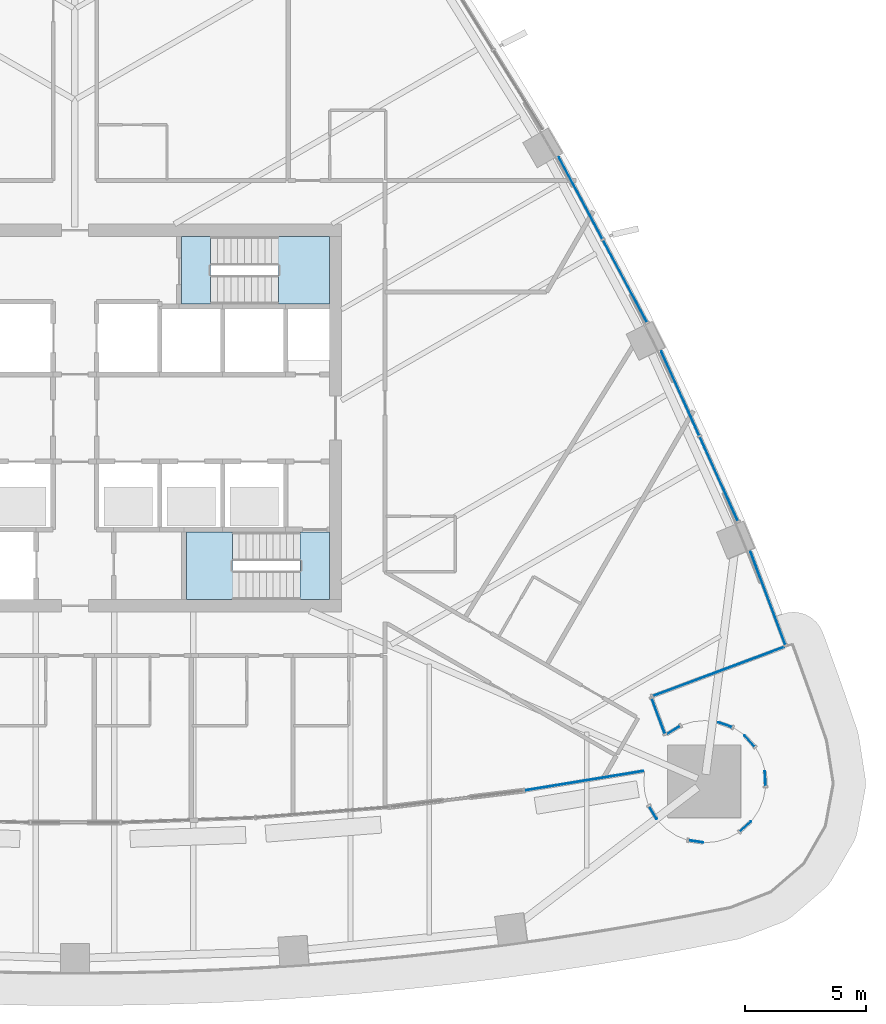
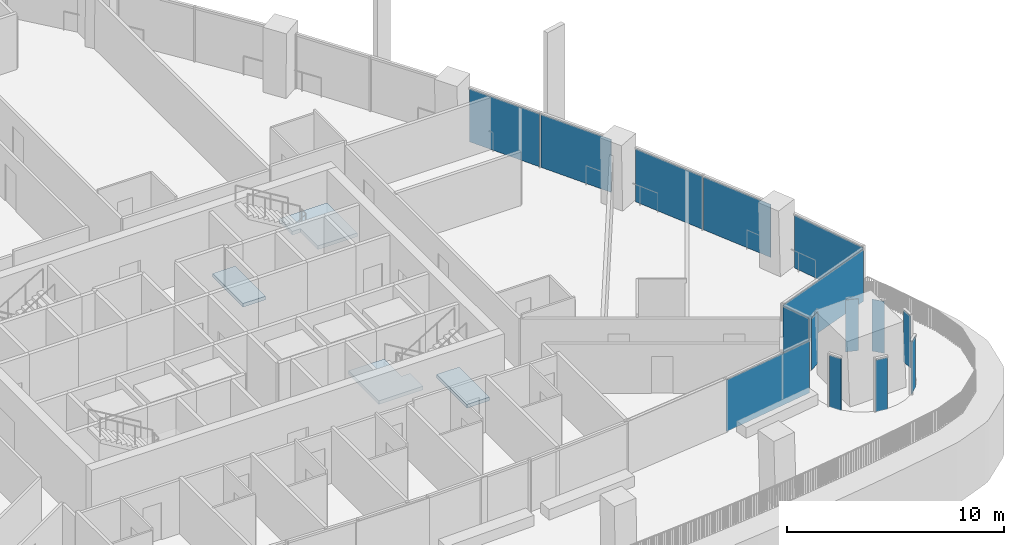
# One storey, part 9 of 25: 15 plates, 4 slabs, 15 elements without a shape of their own.
"""IFC4 building model written with IfcOpenShell, lengths in metres."""

from ifc_helpers import new_model, si_unit, direction, frame, origin, origin_2d, place, context, subcontext, project, spatial, polyline, rectangle, outline, extrude, material, layer, layer_set, type_object, element, aggregate, save


model = new_model("IFC4")

# Units and contexts
model_context = context("Model", 3, precision=1e-05, world=origin(), true_north=direction((0.0, 1.0)))
body_context = subcontext(model_context, "Body", "Model", "MODEL_VIEW")
ifc_project = project(units=[si_unit("LENGTHUNIT", "METRE"), si_unit("AREAUNIT", "SQUARE_METRE"), si_unit("VOLUMEUNIT", "CUBIC_METRE"), si_unit("PLANEANGLEUNIT", "RADIAN"), si_unit("MASSUNIT", "GRAM", prefix="KILO")], contexts=[model_context])

# Site, building, storey
site_placement = place(None, origin())
site = spatial("IfcSite", under=ifc_project, at=site_placement, CompositionType="ELEMENT")
building_placement = place(site_placement, origin())
building = spatial("IfcBuilding", under=site, at=building_placement, Name="Sierra Prisma Convention Tower", CompositionType="ELEMENT")
storey_placement = place(building_placement, frame((0.0, 0.0, 88.699951171875)))
storey = spatial("IfcBuildingStorey", under=building, at=storey_placement, Name="L18", CompositionType="ELEMENT", Elevation=88.699951171875)

# Curtain wall, plate
ifc_material_1 = material(Name="Aluminium and glass curtain wall", Category="aluminium")
ifc_layer_1 = layer(ifc_material_1, 0.179931640625)
ifc_layer_set_1 = layer_set([ifc_layer_1], Name="CW-1 Plain shaft curtain wall")
curtain_wall_type_1 = type_object("IfcCurtainWallType", Name="CW-1 Plain shaft curtain wall", PredefinedType="NOTDEFINED", material=ifc_layer_set_1)
curtain_wall_1_placement = place(storey_placement, origin())
curtain_wall_1 = element("IfcCurtainWall", 1, at=curtain_wall_1_placement, inside=storey, type_object=curtain_wall_type_1, Name="CW-1 NE1b L18", PredefinedType="NOTDEFINED")
ifc_material_2 = material(Name="Tinted glass bronze-grey IGU", Category="glass")
ifc_layer_2 = layer(ifc_material_2, 0.028076171875)
ifc_layer_set_2 = layer_set([ifc_layer_2], Name="CW-1 glass panel")
plate_type_1 = type_object("IfcPlateType", Name="CW-1 glass panel", PredefinedType="CURTAIN_PANEL", material=ifc_layer_set_2)
plate_1_placement = place(storey_placement, frame((28.6044921875, -7.443115234375, 0.0), z_axis=(0.0, 0.0, 1.0), x_axis=(-0.349981132307, 0.936756749124, 0.0)))
plate_1 = element("IfcPlate", 2, at=plate_1_placement, type_object=plate_type_1, Name="CW-1 panel NE1b.1", PredefinedType="CURTAIN_PANEL", context=body_context, shape_type="SweptSolid", body=[
    extrude(rectangle(XDim=4.090087890625, YDim=0.028076171875, at=origin_2d()), origin(), (0.0, 0.0, 1.0), 2.97998046875),
])
aggregate(curtain_wall_1, [plate_1])

# Curtain wall, plates
curtain_wall_2_placement = place(storey_placement, origin())
curtain_wall_2 = element("IfcCurtainWall", 3, at=curtain_wall_2_placement, inside=storey, type_object=curtain_wall_type_1, Name="CW-1 NE2 L18", PredefinedType="NOTDEFINED")
plate_2_placement = place(storey_placement, frame((26.577880859375, -2.514892578125, 0.0), z_axis=(0.0, 0.0, 1.0), x_axis=(-0.411382273027, 0.911462904039, 0.0)))
plate_2 = element("IfcPlate", 4, at=plate_2_placement, type_object=plate_type_1, Name="CW-1 panel NE2.1", PredefinedType="CURTAIN_PANEL", context=body_context, shape_type="SweptSolid", body=[
    extrude(rectangle(XDim=3.802490234375, YDim=0.028076171875, at=origin_2d()), origin(), (0.0, 0.0, 1.0), 2.97998046875),
])
plate_3_placement = place(storey_placement, frame((24.98486328125, 1.0146484375, 0.0), z_axis=(0.0, 0.0, 1.0), x_axis=(-0.411382273027, 0.911462904039, 0.0)))
plate_3 = element("IfcPlate", 5, at=plate_3_placement, type_object=plate_type_1, Name="CW-1 panel NE2.2", PredefinedType="CURTAIN_PANEL", context=body_context, shape_type="SweptSolid", body=[
    extrude(rectangle(XDim=3.802490234375, YDim=0.028076171875, at=origin_2d()), origin(), (0.0, 0.0, 1.0), 2.97998046875),
])
aggregate(curtain_wall_2, [plate_2, plate_3])

curtain_wall_3_placement = place(storey_placement, origin())
curtain_wall_3 = element("IfcCurtainWall", 6, at=curtain_wall_3_placement, inside=storey, type_object=curtain_wall_type_1, Name="CW-1 NE3 L18", PredefinedType="NOTDEFINED")
plate_4_placement = place(storey_placement, frame((22.706298828125, 5.64501953125, 0.0), z_axis=(0.0, 0.0, 1.0), x_axis=(-0.470969267832, 0.882149618125, 0.0)))
plate_4 = element("IfcPlate", 7, at=plate_4_placement, type_object=plate_type_1, Name="CW-1 panel NE3.1", PredefinedType="CURTAIN_PANEL", context=body_context, shape_type="SweptSolid", body=[
    extrude(rectangle(XDim=3.818603515625, YDim=0.028076171875, at=origin_2d()), origin(), (0.0, 0.0, 1.0), 2.97998046875),
])
plate_5_placement = place(storey_placement, frame((20.874755859375, 9.075439453125, 0.0), z_axis=(0.0, 0.0, 1.0), x_axis=(-0.470969267832, 0.882149618125, 0.0)))
plate_5 = element("IfcPlate", 8, at=plate_5_placement, type_object=plate_type_1, Name="CW-1 panel NE3.2", PredefinedType="CURTAIN_PANEL", context=body_context, shape_type="SweptSolid", body=[
    extrude(rectangle(XDim=3.818603515625, YDim=0.028076171875, at=origin_2d()), origin(), (0.0, 0.0, 1.0), 2.97998046875),
])
aggregate(curtain_wall_3, [plate_4, plate_5])

# Curtain wall, plate
ifc_material_3 = material(Name="Aluminium and glass curtain wall", Category="aluminium")
ifc_layer_3 = layer(ifc_material_3, 0.179931640625)
ifc_layer_set_3 = layer_set([ifc_layer_3], Name="CW-6 Terrace recess curtain wall")
curtain_wall_type_2 = type_object("IfcCurtainWallType", Name="CW-6 Terrace recess curtain wall", PredefinedType="NOTDEFINED", material=ifc_layer_set_3)
curtain_wall_4_placement = place(storey_placement, origin())
curtain_wall_4 = element("IfcCurtainWall", 9, at=curtain_wall_4_placement, inside=storey, type_object=curtain_wall_type_2, Name="CW-6 R10 L18", PredefinedType="NOTDEFINED")
ifc_material_4 = material(Name="Tinted glass bronze-grey IGU", Category="glass")
ifc_layer_4 = layer(ifc_material_4, 0.028076171875)
ifc_layer_set_4 = layer_set([ifc_layer_4], Name="CW-6 glass panel")
plate_type_2 = type_object("IfcPlateType", Name="CW-6 glass panel", PredefinedType="CURTAIN_PANEL", material=ifc_layer_set_4)
plate_6_placement = place(storey_placement, frame((21.010009765625, -14.9716796875, 0.0), z_axis=(0.0, 0.0, 1.0), x_axis=(0.986855367185, 0.161605953661, 0.0)))
plate_6 = element("IfcPlate", 10, at=plate_6_placement, type_object=plate_type_2, Name="CW-6 panel R10.1", PredefinedType="CURTAIN_PANEL", context=body_context, shape_type="SweptSolid", body=[
    extrude(rectangle(XDim=4.94384765625, YDim=0.028076171875, at=origin_2d()), origin(), (0.0, 0.0, 1.0), 2.919921875),
])
aggregate(curtain_wall_4, [plate_6])

curtain_wall_5_placement = place(storey_placement, origin())
curtain_wall_5 = element("IfcCurtainWall", 11, at=curtain_wall_5_placement, inside=storey, type_object=curtain_wall_type_2, Name="CW-6 R14 L18", PredefinedType="NOTDEFINED")
plate_7_placement = place(storey_placement, frame((23.858642578125, -16.2919921875, 0.0), z_axis=(0.0, 0.0, 1.0), x_axis=(0.514102744193, -0.85772861, 0.0)))
plate_7 = element("IfcPlate", 12, at=plate_7_placement, type_object=plate_type_2, Name="CW-6 panel R14.1", PredefinedType="CURTAIN_PANEL", context=body_context, shape_type="SweptSolid", body=[
    extrude(rectangle(XDim=0.599853515625, YDim=0.028076171875, at=origin_2d()), origin(), (0.0, 0.0, 1.0), 2.919921875),
])
aggregate(curtain_wall_5, [plate_7])

curtain_wall_6_placement = place(storey_placement, origin())
curtain_wall_6 = element("IfcCurtainWall", 13, at=curtain_wall_6_placement, inside=storey, type_object=curtain_wall_type_2, Name="CW-6 R18 L18", PredefinedType="NOTDEFINED")
plate_8_placement = place(storey_placement, frame((25.6318359375, -17.476806640625, 0.0), z_axis=(0.0, 0.0, 1.0), x_axis=(0.989176509965, -0.146730474455, 0.0)))
plate_8 = element("IfcPlate", 14, at=plate_8_placement, type_object=plate_type_2, Name="CW-6 panel R18.1", PredefinedType="CURTAIN_PANEL", context=body_context, shape_type="SweptSolid", body=[
    extrude(rectangle(XDim=0.599853515625, YDim=0.028076171875, at=origin_2d()), origin(), (0.0, 0.0, 1.0), 2.919921875),
])
aggregate(curtain_wall_6, [plate_8])

curtain_wall_7_placement = place(storey_placement, origin())
curtain_wall_7 = element("IfcCurtainWall", 15, at=curtain_wall_7_placement, inside=storey, type_object=curtain_wall_type_2, Name="CW-6 R22 L18", PredefinedType="NOTDEFINED")
plate_9_placement = place(storey_placement, frame((27.672607421875, -16.85791015625, 0.0), z_axis=(0.0, 0.0, 1.0), x_axis=(0.740951125355, 0.671558954847, 0.0)))
plate_9 = element("IfcPlate", 16, at=plate_9_placement, type_object=plate_type_2, Name="CW-6 panel R22.1", PredefinedType="CURTAIN_PANEL", context=body_context, shape_type="SweptSolid", body=[
    extrude(rectangle(XDim=0.599853515625, YDim=0.028076171875, at=origin_2d()), origin(), (0.0, 0.0, 1.0), 2.919921875),
])
aggregate(curtain_wall_7, [plate_9])

curtain_wall_8_placement = place(storey_placement, origin())
curtain_wall_8 = element("IfcCurtainWall", 17, at=curtain_wall_8_placement, inside=storey, type_object=curtain_wall_type_2, Name="CW-6 R26 L18", PredefinedType="NOTDEFINED")
plate_10_placement = place(storey_placement, frame((28.48876953125, -14.887451171875, 0.0), z_axis=(0.0, 0.0, 1.0), x_axis=(-0.049067674327, 0.998795456205, 0.0)))
plate_10 = element("IfcPlate", 18, at=plate_10_placement, type_object=plate_type_2, Name="CW-6 panel R26.1", PredefinedType="CURTAIN_PANEL", context=body_context, shape_type="SweptSolid", body=[
    extrude(rectangle(XDim=0.599853515625, YDim=0.028076171875, at=origin_2d()), origin(), (0.0, 0.0, 1.0), 2.919921875),
])
aggregate(curtain_wall_8, [plate_10])

curtain_wall_9_placement = place(storey_placement, origin())
curtain_wall_9 = element("IfcCurtainWall", 19, at=curtain_wall_9_placement, inside=storey, type_object=curtain_wall_type_2, Name="CW-6 R29 L18", PredefinedType="NOTDEFINED")
plate_11_placement = place(storey_placement, frame((27.845703125, -13.3349609375, 0.0), z_axis=(0.0, 0.0, 1.0), x_axis=(-0.671558954847, 0.740951125355, 0.0)))
plate_11 = element("IfcPlate", 20, at=plate_11_placement, type_object=plate_type_2, Name="CW-6 panel R29.1", PredefinedType="CURTAIN_PANEL", context=body_context, shape_type="SweptSolid", body=[
    extrude(rectangle(XDim=0.599853515625, YDim=0.028076171875, at=origin_2d()), origin(), (0.0, 0.0, 1.0), 2.919921875),
])
aggregate(curtain_wall_9, [plate_11])

curtain_wall_10_placement = place(storey_placement, origin())
curtain_wall_10 = element("IfcCurtainWall", 21, at=curtain_wall_10_placement, inside=storey, type_object=curtain_wall_type_2, Name="CW-6 R31 L18", PredefinedType="NOTDEFINED")
plate_12_placement = place(storey_placement, frame((26.838134765625, -12.66162109375, 0.0), z_axis=(0.0, 0.0, 1.0), x_axis=(-0.941544065183, 0.336889853392, 0.0)))
plate_12 = element("IfcPlate", 22, at=plate_12_placement, type_object=plate_type_2, Name="CW-6 panel R31.1", PredefinedType="CURTAIN_PANEL", context=body_context, shape_type="SweptSolid", body=[
    extrude(rectangle(XDim=0.599853515625, YDim=0.028076171875, at=origin_2d()), origin(), (0.0, 0.0, 1.0), 2.919921875),
])
aggregate(curtain_wall_10, [plate_12])

curtain_wall_11_placement = place(storey_placement, origin())
curtain_wall_11 = element("IfcCurtainWall", 23, at=curtain_wall_11_placement, inside=storey, type_object=curtain_wall_type_2, Name="CW-6 R35 L18", PredefinedType="NOTDEFINED")
plate_13_placement = place(storey_placement, frame((24.701171875, -12.8837890625, 0.0), z_axis=(0.0, 0.0, 1.0), x_axis=(-0.852642217179, -0.522495214795, 0.0)))
plate_13 = element("IfcPlate", 24, at=plate_13_placement, type_object=plate_type_2, Name="CW-6 panel R35.1", PredefinedType="CURTAIN_PANEL", context=body_context, shape_type="SweptSolid", body=[
    extrude(rectangle(XDim=0.638427734375, YDim=0.028076171875, at=origin_2d()), origin(), (0.0, 0.0, 1.0), 2.919921875),
])
aggregate(curtain_wall_11, [plate_13])

curtain_wall_12_placement = place(storey_placement, origin())
curtain_wall_12 = element("IfcCurtainWall", 25, at=curtain_wall_12_placement, inside=storey, type_object=curtain_wall_type_2, Name="CW-6 R36 L18", PredefinedType="NOTDEFINED")
plate_14_placement = place(storey_placement, frame((24.076416015625, -12.29443359375, 0.0), z_axis=(0.0, 0.0, 1.0), x_axis=(-0.346536749683, 0.938036396479, 0.0)))
plate_14 = element("IfcPlate", 26, at=plate_14_placement, type_object=plate_type_2, Name="CW-6 panel R36.1", PredefinedType="CURTAIN_PANEL", context=body_context, shape_type="SweptSolid", body=[
    extrude(rectangle(XDim=1.5498046875, YDim=0.028076171875, at=origin_2d()), origin(), (0.0, 0.0, 1.0), 2.919921875),
])
aggregate(curtain_wall_12, [plate_14])

curtain_wall_13_placement = place(storey_placement, origin())
curtain_wall_13 = element("IfcCurtainWall", 27, at=curtain_wall_13_placement, inside=storey, type_object=curtain_wall_type_2, Name="CW-6 RT2 L18", PredefinedType="NOTDEFINED")
plate_15_placement = place(storey_placement, frame((26.564208984375, -10.463134765625, 0.0), z_axis=(0.0, 0.0, 1.0), x_axis=(0.936756749124, 0.349981132307, 0.0)))
plate_15 = element("IfcPlate", 28, at=plate_15_placement, type_object=plate_type_2, Name="CW-6 panel RT2.1", PredefinedType="CURTAIN_PANEL", context=body_context, shape_type="SweptSolid", body=[
    extrude(rectangle(XDim=5.79638671875, YDim=0.028076171875, at=origin_2d()), origin(), (0.0, 0.0, 1.0), 2.919921875),
])
aggregate(curtain_wall_13, [plate_15])

# Stair, slab
ifc_material_5 = material(Name="Concrete C30/37", Category="concrete")
stair_type = type_object("IfcStairType", Name="Stair dog-leg 1200 RC", PredefinedType="HALF_TURN_STAIR", material=ifc_material_5)
stair_1_placement = place(storey_placement, origin())
stair_1 = element("IfcStair", 29, at=stair_1_placement, inside=storey, type_object=stair_type, Name="L18 S2", PredefinedType="HALF_TURN_STAIR")
ifc_material_6 = material(Name="Concrete C35/45", Category="concrete")
ifc_layer_5 = layer(ifc_material_6, 0.199951171875)
ifc_layer_set_5 = layer_set([ifc_layer_5], Name="Stair landing slab")
slab_type = type_object("IfcSlabType", Name="Stair landing slab", PredefinedType="LANDING", material=ifc_layer_set_5)
slab_1_placement = place(storey_placement, frame((0.0, 0.0, 1.650146484375)))
slab_1 = element("IfcSlab", 30, at=slab_1_placement, type_object=slab_type, Name="S2 landing 1", PredefinedType="LANDING", context=body_context, shape_type="SweptSolid", body=[
    extrude(outline(polyline([(6.949951171875, -6.300048828125), (6.949951171875, -7.5), (4.60009765625, -7.5), (4.60009765625, -4.699951171875), (6.501953125, -4.699951171875), (6.501953125, -6.300048828125), (6.949951171875, -6.300048828125)])), origin(), (0.0, 0.0, 1.0), 0.199951171875),
])
aggregate(stair_1, [slab_1])

# Slab
slab_2_placement = place(storey_placement, frame((0.0, 0.0, -0.199951171875)))
element("IfcSlab", 31, at=slab_2_placement, inside=storey, type_object=slab_type, Name="S2 floor landing L18", PredefinedType="LANDING", context=body_context, shape_type="SweptSolid", body=[
    extrude(outline(polyline([(10.5, -4.699951171875), (9.298095703125, -4.699951171875), (9.298095703125, -7.5), (10.5, -7.5), (10.5, -4.699951171875)])), origin(), (0.0, 0.0, 1.0), 0.199951171875),
])

# Stair, slab
stair_2_placement = place(storey_placement, origin())
stair_2 = element("IfcStair", 32, at=stair_2_placement, inside=storey, type_object=stair_type, Name="L18 S4", PredefinedType="HALF_TURN_STAIR")
slab_3_placement = place(storey_placement, frame((0.0, 0.0, 1.650146484375)))
slab_3 = element("IfcSlab", 33, at=slab_3_placement, type_object=slab_type, Name="S4 landing 1", PredefinedType="LANDING", context=body_context, shape_type="SweptSolid", body=[
    extrude(outline(polyline([(10.5, 7.5), (10.5, 4.699951171875), (8.39794921875, 4.699951171875), (8.39794921875, 6.300048828125), (7.949951171875, 6.300048828125), (7.949951171875, 7.5), (10.5, 7.5)])), origin(), (0.0, 0.0, 1.0), 0.199951171875),
])
aggregate(stair_2, [slab_3])

# Slab
slab_4_placement = place(storey_placement, frame((0.0, 0.0, -0.199951171875)))
element("IfcSlab", 34, at=slab_4_placement, inside=storey, type_object=slab_type, Name="S4 floor landing L18", PredefinedType="LANDING", context=body_context, shape_type="SweptSolid", body=[
    extrude(outline(polyline([(4.39990234375, 4.699951171875), (5.60205078125, 4.699951171875), (5.60205078125, 7.5), (4.39990234375, 7.5), (4.39990234375, 4.699951171875)])), origin(), (0.0, 0.0, 1.0), 0.199951171875),
])

save(model, "model.ifc")
